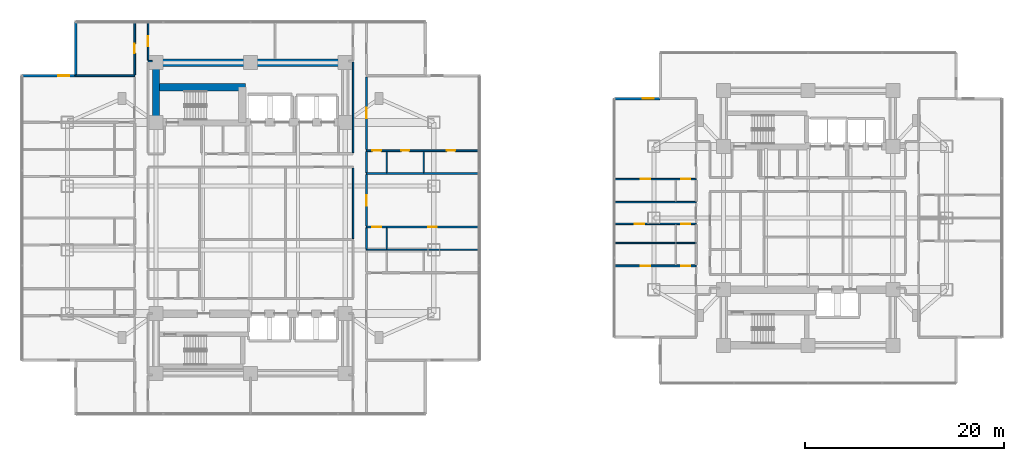
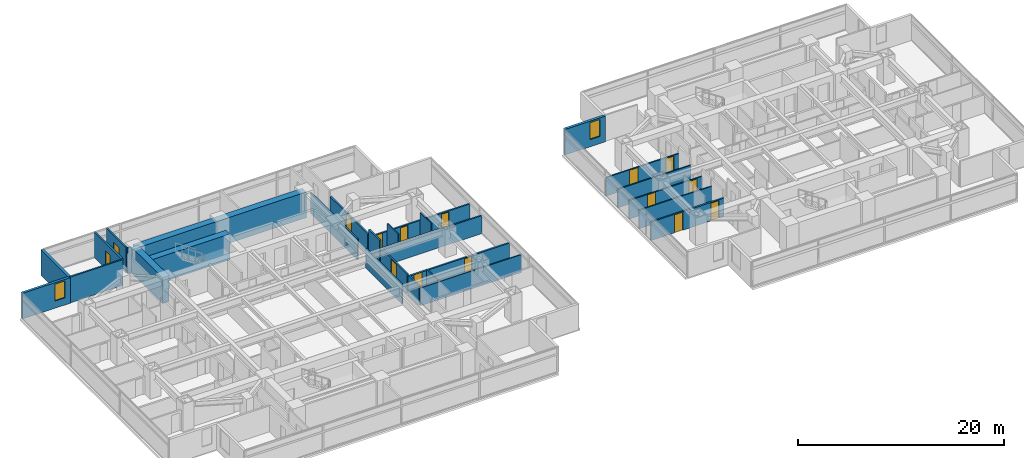
# One storey, part 17 of 26: 28 walls, 15 doors, 2 windows, 17 openings.
"""IFC4 building model written with IfcOpenShell, lengths in metres."""

from ifc_helpers import new_model, si_unit, direction, frame, frame_2d, origin, place, context, subcontext, project, spatial, rectangle, extrude, material, layer, layer_set, type_object, element, fill, save


model = new_model("IFC4")

# Units and contexts
model_context = context("Model", 3, precision=1e-05, world=origin(), true_north=direction((0.0, 1.0)))
body_context = subcontext(model_context, "Body", "Model", "MODEL_VIEW")
ifc_project = project(units=[si_unit("LENGTHUNIT", "METRE"), si_unit("AREAUNIT", "SQUARE_METRE"), si_unit("VOLUMEUNIT", "CUBIC_METRE"), si_unit("PLANEANGLEUNIT", "RADIAN"), si_unit("MASSUNIT", "GRAM", prefix="KILO")], contexts=[model_context])

# Site, building, storey
site_placement = place(None, origin())
site = spatial("IfcSite", under=ifc_project, at=site_placement, CompositionType="ELEMENT")
building_placement = place(site_placement, origin())
building = spatial("IfcBuilding", under=site, at=building_placement, Name="Mirazonda Arch Towers", CompositionType="ELEMENT")
storey_placement = place(building_placement, frame((0.0, 0.0, 45.5)))
storey = spatial("IfcBuildingStorey", under=building, at=storey_placement, Name="L12", CompositionType="ELEMENT", Elevation=45.5)

# Walls
ifc_material_1 = material(Name="Concrete C60/75", Category="concrete")
ifc_layer_1 = layer(ifc_material_1, 0.75, Name="WALL-CORE-750")
ifc_layer_set_1 = layer_set([ifc_layer_1], Name="Concrete C60/75")
wall_type_1 = type_object("IfcWallType", Name="WALL-CORE-750", PredefinedType="SHEAR", material=ifc_layer_set_1)
wall_1_placement = place(storey_placement, frame((11.0, 43.60009765625, 0.0), z_axis=(0.0, 0.0, 1.0), x_axis=(1.0, 0.0, 0.0)))
element("IfcWall", 1, at=wall_1_placement, inside=storey, type_object=wall_type_1, Name="L12 T1N-N Core Shear Wall", PredefinedType="SHEAR", context=body_context, shape_type="SweptSolid", body=[
    extrude(rectangle(XDim=19.0, YDim=0.75, at=frame_2d((9.5, 0.0))), origin(), (0.0, 0.0, 1.0), 3.06005859375),
])
wall_2_placement = place(storey_placement, frame((11.0, 37.60009765625, 0.0), z_axis=(0.0, 0.0, 1.0), x_axis=(0.0, 1.0, 0.0)))
element("IfcWall", 2, at=wall_2_placement, inside=storey, type_object=wall_type_1, Name="L12 T1N-W Core Shear Wall", PredefinedType="SHEAR", context=body_context, shape_type="SweptSolid", body=[
    extrude(rectangle(XDim=6.0, YDim=0.75, at=frame_2d((3.0, 0.0))), origin(), (0.0, 0.0, 1.0), 3.06005859375),
])
wall_3_placement = place(storey_placement, frame((11.0, 41.14306640625, 0.0), z_axis=(0.0, 0.0, 1.0), x_axis=(1.0, 0.0, 0.0)))
element("IfcWall", 3, at=wall_3_placement, inside=storey, type_object=wall_type_1, Name="L12 T1N-STN Core Shear Wall", PredefinedType="SHEAR", context=body_context, shape_type="SweptSolid", body=[
    extrude(rectangle(XDim=9.0, YDim=0.75, at=frame_2d((4.5, 0.0))), origin(), (0.0, 0.0, 1.0), 3.06005859375),
])

# Wall, opening, window
ifc_material_2 = material(Name="Precast Concrete C40/50", Category="concrete")
ifc_layer_2 = layer(ifc_material_2, 0.280029296875, Name="WALL-EXT-WALL-280")
ifc_layer_set_2 = layer_set([ifc_layer_2], Name="Precast Concrete C40/50")
wall_type_2 = type_object("IfcWallType", Name="WALL-EXT-WALL-280", PredefinedType="SOLIDWALL", material=ifc_layer_set_2)
wall_4_placement = place(storey_placement, frame((2.93994140625, 42.285888671875, 0.0), z_axis=(0.0, 0.0, 1.0), x_axis=(-1.0, 0.0, 0.0)))
wall_4 = element("IfcWall", 4, at=wall_4_placement, inside=storey, type_object=wall_type_2, Name="L12 T1 Corner Notch Return Wall WL-L12-T1-CNW1", PredefinedType="SOLIDWALL", context=body_context, shape_type="SweptSolid", body=[
    extrude(rectangle(XDim=5.3798828125, YDim=0.280029296875, at=frame_2d((2.68994140625, 0.0))), origin(), (0.0, 0.0, 1.0), 3.0400390625),
])
opening_1_placement = place(wall_4_placement, frame((0.64990234375, 0.0, 0.85009765625)))
opening_1 = element("IfcOpeningElement", 5, at=opening_1_placement, cuts=wall_4, Name="Opening WN-108", PredefinedType="OPENING", context=body_context, shape_type="SweptSolid", body=[
    extrude(rectangle(XDim=1.10009765625, YDim=2.0, at=frame_2d((0.550048828125, 1.0))), frame((0.0, 0.14990234375, 0.0), z_axis=(0.0, -1.0, 0.0), x_axis=(1.0, 0.0, 0.0)), (0.0, 0.0, 1.0), 0.300048828125),
])
ifc_material_3 = material(Name="Insulated Low-E Solar Glass", Category="glass")
window_type = type_object("IfcWindowType", Name="WIN-NOTCH-1100x2000", PartitioningType="SINGLE_PANEL", PredefinedType="WINDOW", material=ifc_material_3)
window_1_placement = place(opening_1_placement, origin())
window_1 = element("IfcWindow", 6, at=window_1_placement, inside=storey, type_object=window_type, Name="L12 Punched Facade Window WN-L12-T1-CNW1", OverallHeight=2.0, OverallWidth=1.10009765625, PartitioningType="SINGLE_PANEL", PredefinedType="WINDOW", context=body_context, shape_type="SweptSolid", body=[
    extrude(rectangle(XDim=1.10009765625, YDim=2.0, at=frame_2d((0.550048828125, 1.0))), frame((0.0, 0.030029296875, 0.0), z_axis=(0.0, -1.0, 0.0), x_axis=(1.0, 0.0, 0.0)), (0.0, 0.0, 1.0), 0.06005859375),
])
fill(opening_1, window_1)

# Wall
wall_5_placement = place(storey_placement, frame((2.93994140625, 47.666015625, 0.0), z_axis=(0.0, 0.0, 1.0), x_axis=(0.0, -1.0, 0.0)))
element("IfcWall", 7, at=wall_5_placement, inside=storey, type_object=wall_type_2, Name="L12 T1 Corner Notch Return Wall WL-L12-T1-CNW2", PredefinedType="SOLIDWALL", context=body_context, shape_type="SweptSolid", body=[
    extrude(rectangle(XDim=5.380126953125, YDim=0.280029296875, at=frame_2d((2.68994140625, 0.0))), origin(), (0.0, 0.0, 1.0), 3.0400390625),
])

# Wall, opening, window
wall_6_placement = place(storey_placement, frame((61.634033203125, 39.983154296875, 0.0), z_axis=(0.0, 0.0, 1.0), x_axis=(-1.0, 0.0, 0.0)))
wall_6 = element("IfcWall", 8, at=wall_6_placement, inside=storey, type_object=wall_type_2, Name="L12 T2 Corner Notch Return Wall WL-L12-T2-CNW1", PredefinedType="SOLIDWALL", context=body_context, shape_type="SweptSolid", body=[
    extrude(rectangle(XDim=4.580078125, YDim=0.280029296875, at=frame_2d((2.2900390625, 0.0))), origin(), (0.0, 0.0, 1.0), 3.0400390625),
])
opening_2_placement = place(wall_6_placement, frame((0.64990234375, 0.0, 0.85009765625)))
opening_2 = element("IfcOpeningElement", 9, at=opening_2_placement, cuts=wall_6, Name="Opening WN-108", PredefinedType="OPENING", context=body_context, shape_type="SweptSolid", body=[
    extrude(rectangle(XDim=1.10009765625, YDim=2.0, at=frame_2d((0.550048828125, 1.0))), frame((0.0, 0.14990234375, 0.0), z_axis=(0.0, -1.0, 0.0), x_axis=(1.0, 0.0, 0.0)), (0.0, 0.0, 1.0), 0.300048828125),
])
window_2_placement = place(opening_2_placement, origin())
window_2 = element("IfcWindow", 10, at=window_2_placement, inside=storey, type_object=window_type, Name="L12 Punched Facade Window WN-L12-T2-CNW1", OverallHeight=2.0, OverallWidth=1.10009765625, PartitioningType="SINGLE_PANEL", PredefinedType="WINDOW", context=body_context, shape_type="SweptSolid", body=[
    extrude(rectangle(XDim=1.10009765625, YDim=2.0, at=frame_2d((0.550048828125, 1.0))), frame((0.0, 0.030029296875, 0.0), z_axis=(0.0, -1.0, 0.0), x_axis=(1.0, 0.0, 0.0)), (0.0, 0.0, 1.0), 0.06005859375),
])
fill(opening_2, window_2)

# Wall, openings, doors
ifc_material_4 = material(Name="Fire-Rated Gypsum Stud Partition")
ifc_layer_3 = layer(ifc_material_4, 0.14990234375, Name="WALL-PART-CORR-150")
ifc_layer_set_3 = layer_set([ifc_layer_3], Name="Fire-Rated Gypsum Stud Partition")
wall_type_3 = type_object("IfcWallType", Name="WALL-PART-CORR-150", PredefinedType="PARTITIONING", material=ifc_layer_set_3)
wall_7_placement = place(storey_placement, frame((57.053955078125, 27.412109375, 0.0), z_axis=(0.0, 0.0, 1.0), x_axis=(1.0, 0.0, 0.0)))
wall_7 = element("IfcWall", 11, at=wall_7_placement, inside=storey, type_object=wall_type_3, Name="L12 Interior Partition 034", PredefinedType="PARTITIONING", context=body_context, shape_type="SweptSolid", body=[
    extrude(rectangle(XDim=8.196044921875, YDim=0.14990234375, at=frame_2d((4.09814453125, 0.0))), origin(), (0.0, 0.0, 1.0), 2.196044921875),
])
opening_3_placement = place(wall_7_placement, frame((2.02294921875, 0.0, 0.0)))
opening_3 = element("IfcOpeningElement", 12, at=opening_3_placement, cuts=wall_7, Name="Opening DR-104", PredefinedType="OPENING", context=body_context, shape_type="SweptSolid", body=[
    extrude(rectangle(XDim=0.949951171875, YDim=2.14990234375, at=frame_2d((0.47509765625, 1.074951171875))), frame((0.0, 0.0849609375, 0.0), z_axis=(0.0, -1.0, 0.0), x_axis=(1.0, 0.0, 0.0)), (0.0, 0.0, 1.0), 0.169921875),
])
opening_4_placement = place(wall_7_placement, frame((6.7060546875, 0.0, 0.0)))
opening_4 = element("IfcOpeningElement", 13, at=opening_4_placement, cuts=wall_7, Name="Opening DR-120", PredefinedType="OPENING", context=body_context, shape_type="SweptSolid", body=[
    extrude(rectangle(XDim=0.89990234375, YDim=2.10009765625, at=frame_2d((0.449951171875, 1.050048828125))), frame((0.0, 0.0849609375, 0.0), z_axis=(0.0, -1.0, 0.0), x_axis=(1.0, 0.0, 0.0)), (0.0, 0.0, 1.0), 0.169921875),
])
ifc_material_5 = material(Name="Architectural Brushed Steel S355", Category="steel")
door_type_1 = type_object("IfcDoorType", Name="DOOR-ROOM-950", OperationType="NOTDEFINED", PredefinedType="DOOR", material=ifc_material_5)
door_1_placement = place(opening_3_placement, origin())
door_1 = element("IfcDoor", 14, at=door_1_placement, inside=storey, type_object=door_type_1, Name="L12 Guestroom Study 2 Door", OperationType="SINGLE_SWING_RIGHT", OverallHeight=2.14990234375, OverallWidth=0.949951171875, PredefinedType="DOOR", context=body_context, shape_type="SweptSolid", body=[
    extrude(rectangle(XDim=0.949951171875, YDim=2.14990234375, at=frame_2d((0.47509765625, 1.074951171875))), frame((0.0, 0.02490234375, 0.0), z_axis=(0.0, -1.0, 0.0), x_axis=(1.0, 0.0, 0.0)), (0.0, 0.0, 1.0), 0.050048828125),
])
fill(opening_3, door_1)
door_type_2 = type_object("IfcDoorType", Name="DOOR-WC-900", OperationType="NOTDEFINED", PredefinedType="DOOR", material=ifc_material_5)
door_2_placement = place(opening_4_placement, origin())
door_2 = element("IfcDoor", 15, at=door_2_placement, inside=storey, type_object=door_type_2, Name="L12 En-Suite Bathroom 2 Door", OperationType="SINGLE_SWING_LEFT", OverallHeight=2.10009765625, OverallWidth=0.89990234375, PredefinedType="DOOR", context=body_context, shape_type="SweptSolid", body=[
    extrude(rectangle(XDim=0.89990234375, YDim=2.10009765625, at=frame_2d((0.449951171875, 1.050048828125))), frame((0.0, 0.02490234375, 0.0), z_axis=(0.0, -1.0, 0.0), x_axis=(1.0, 0.0, 0.0)), (0.0, 0.0, 1.0), 0.050048828125),
])
fill(opening_4, door_2)

# Wall
wall_8_placement = place(storey_placement, frame((57.053955078125, 29.595947265625, 0.0), z_axis=(0.0, 0.0, 1.0), x_axis=(1.0, 0.0, 0.0)))
element("IfcWall", 16, at=wall_8_placement, inside=storey, type_object=wall_type_3, Name="L12 Interior Partition 037", PredefinedType="PARTITIONING", context=body_context, shape_type="SweptSolid", body=[
    extrude(rectangle(XDim=8.196044921875, YDim=0.14990234375, at=frame_2d((4.09814453125, 0.0))), origin(), (0.0, 0.0, 1.0), 2.196044921875),
])

# Wall, openings, doors
wall_9_placement = place(storey_placement, frame((57.053955078125, 31.89599609375, 0.0), z_axis=(0.0, 0.0, 1.0), x_axis=(1.0, 0.0, 0.0)))
wall_9 = element("IfcWall", 17, at=wall_9_placement, inside=storey, type_object=wall_type_3, Name="L12 Interior Partition 040", PredefinedType="PARTITIONING", context=body_context, shape_type="SweptSolid", body=[
    extrude(rectangle(XDim=8.196044921875, YDim=0.14990234375, at=frame_2d((4.09814453125, 0.0))), origin(), (0.0, 0.0, 1.0), 2.196044921875),
])
opening_5_placement = place(wall_9_placement, frame((2.623046875, 0.0, 0.0)))
opening_5 = element("IfcOpeningElement", 18, at=opening_5_placement, cuts=wall_9, Name="Opening DR-104", PredefinedType="OPENING", context=body_context, shape_type="SweptSolid", body=[
    extrude(rectangle(XDim=0.949951171875, YDim=2.14990234375, at=frame_2d((0.47509765625, 1.074951171875))), frame((0.0, 0.0849609375, 0.0), z_axis=(0.0, -1.0, 0.0), x_axis=(1.0, 0.0, 0.0)), (0.0, 0.0, 1.0), 0.169921875),
])
opening_6_placement = place(wall_9_placement, frame((6.7060546875, 0.0, 0.0)))
opening_6 = element("IfcOpeningElement", 19, at=opening_6_placement, cuts=wall_9, Name="Opening DR-120", PredefinedType="OPENING", context=body_context, shape_type="SweptSolid", body=[
    extrude(rectangle(XDim=0.89990234375, YDim=2.10009765625, at=frame_2d((0.449951171875, 1.050048828125))), frame((0.0, 0.0849609375, 0.0), z_axis=(0.0, -1.0, 0.0), x_axis=(1.0, 0.0, 0.0)), (0.0, 0.0, 1.0), 0.169921875),
])
door_3_placement = place(opening_5_placement, origin())
door_3 = element("IfcDoor", 20, at=door_3_placement, inside=storey, type_object=door_type_1, Name="L12 Guestroom Study 3 Door", OperationType="SINGLE_SWING_LEFT", OverallHeight=2.14990234375, OverallWidth=0.949951171875, PredefinedType="DOOR", context=body_context, shape_type="SweptSolid", body=[
    extrude(rectangle(XDim=0.949951171875, YDim=2.14990234375, at=frame_2d((0.47509765625, 1.074951171875))), frame((0.0, 0.02490234375, 0.0), z_axis=(0.0, -1.0, 0.0), x_axis=(1.0, 0.0, 0.0)), (0.0, 0.0, 1.0), 0.050048828125),
])
fill(opening_5, door_3)
door_4_placement = place(opening_6_placement, origin())
door_4 = element("IfcDoor", 21, at=door_4_placement, inside=storey, type_object=door_type_2, Name="L12 En-Suite Bathroom 3 Door", OperationType="SINGLE_SWING_RIGHT", OverallHeight=2.10009765625, OverallWidth=0.89990234375, PredefinedType="DOOR", context=body_context, shape_type="SweptSolid", body=[
    extrude(rectangle(XDim=0.89990234375, YDim=2.10009765625, at=frame_2d((0.449951171875, 1.050048828125))), frame((0.0, 0.02490234375, 0.0), z_axis=(0.0, -1.0, 0.0), x_axis=(1.0, 0.0, 0.0)), (0.0, 0.0, 1.0), 0.050048828125),
])
fill(opening_6, door_4)

# Wall
wall_10_placement = place(storey_placement, frame((10.199951171875, 43.75, 0.0), z_axis=(0.0, 0.0, 1.0), x_axis=(1.0, 0.0, 0.0)))
element("IfcWall", 22, at=wall_10_placement, inside=storey, type_object=wall_type_3, Name="L12 Interior Partition 063", PredefinedType="PARTITIONING", context=body_context, shape_type="SweptSolid", body=[
    extrude(rectangle(XDim=0.429931640625, YDim=0.14990234375, at=frame_2d((0.21484375, 0.0))), origin(), (0.0, 0.0, 1.0), 3.06005859375),
])

# Wall, opening, door
wall_11_placement = place(storey_placement, frame((10.199951171875, 43.8349609375, 0.0), z_axis=(0.0, 0.0, 1.0), x_axis=(0.0, 1.0, 0.0)))
wall_11 = element("IfcWall", 23, at=wall_11_placement, inside=storey, type_object=wall_type_3, Name="L12 Interior Partition 084", PredefinedType="PARTITIONING", context=body_context, shape_type="SweptSolid", body=[
    extrude(rectangle(XDim=3.8310546875, YDim=0.14990234375, at=frame_2d((1.91552734375, 0.0))), origin(), (0.0, 0.0, 1.0), 3.06005859375),
])
opening_7_placement = place(wall_11_placement, frame((1.390380859375, 0.0, 0.0)))
opening_7 = element("IfcOpeningElement", 24, at=opening_7_placement, cuts=wall_11, Name="Opening DR-121", PredefinedType="OPENING", context=body_context, shape_type="SweptSolid", body=[
    extrude(rectangle(XDim=1.050048828125, YDim=2.199951171875, at=frame_2d((0.52490234375, 1.10009765625))), frame((0.0, 0.0849609375, 0.0), z_axis=(0.0, -1.0, 0.0), x_axis=(1.0, 0.0, 0.0)), (0.0, 0.0, 1.0), 0.169921875),
])
door_type_3 = type_object("IfcDoorType", Name="DOOR-SUITE-FD60-1050", OperationType="NOTDEFINED", PredefinedType="DOOR", material=ifc_material_5)
door_5_placement = place(opening_7_placement, origin())
door_5 = element("IfcDoor", 25, at=door_5_placement, inside=storey, type_object=door_type_3, Name="L12 North Bay Sunroom West Door", OperationType="SINGLE_SWING_LEFT", OverallHeight=2.199951171875, OverallWidth=1.050048828125, PredefinedType="DOOR", context=body_context, shape_type="SweptSolid", body=[
    extrude(rectangle(XDim=1.050048828125, YDim=2.199951171875, at=frame_2d((0.52490234375, 1.10009765625))), frame((0.0, 0.02490234375, 0.0), z_axis=(0.0, -1.0, 0.0), x_axis=(1.0, 0.0, 0.0)), (0.0, 0.0, 1.0), 0.050048828125),
])
fill(opening_7, door_5)

# Walls
wall_12_placement = place(storey_placement, frame((30.800048828125, 25.925048828125, 0.0), z_axis=(0.0, 0.0, 1.0), x_axis=(0.0, 1.0, 0.0)))
element("IfcWall", 26, at=wall_12_placement, inside=storey, type_object=wall_type_3, Name="L12 Interior Partition 111", PredefinedType="PARTITIONING", context=body_context, shape_type="SweptSolid", body=[
    extrude(rectangle(XDim=7.08984375, YDim=0.14990234375, at=frame_2d((3.544921875, 0.0))), origin(), (0.0, 0.0, 1.0), 2.279052734375),
])
wall_13_placement = place(storey_placement, frame((30.800048828125, 34.570068359375, 0.0), z_axis=(0.0, 0.0, 1.0), x_axis=(0.0, 1.0, 0.0)))
element("IfcWall", 27, at=wall_13_placement, inside=storey, type_object=wall_type_3, Name="L12 Interior Partition 112", PredefinedType="PARTITIONING", context=body_context, shape_type="SweptSolid", body=[
    extrude(rectangle(XDim=9.094970703125, YDim=0.14990234375, at=frame_2d((4.54736328125, 0.0))), origin(), (0.0, 0.0, 1.0), 2.43603515625),
])

# Wall, openings, doors
ifc_material_6 = material(Name="Fire-Rated Gypsum Twin-Stud Assembly")
ifc_layer_4 = layer(ifc_material_6, 0.179931640625, Name="WALL-PART-DEMISE-180")
ifc_layer_set_4 = layer_set([ifc_layer_4], Name="Fire-Rated Gypsum Twin-Stud Assembly")
wall_type_4 = type_object("IfcWallType", Name="WALL-PART-DEMISE-180", PredefinedType="PARTITIONING", material=ifc_layer_set_4)
wall_14_placement = place(storey_placement, frame((57.053955078125, 23.19189453125, 0.0), z_axis=(0.0, 0.0, 1.0), x_axis=(1.0, 0.0, 0.0)))
wall_14 = element("IfcWall", 28, at=wall_14_placement, inside=storey, type_object=wall_type_4, Name="L12 Interior Partition 025", PredefinedType="PARTITIONING", context=body_context, shape_type="SweptSolid", body=[
    extrude(rectangle(XDim=8.196044921875, YDim=0.179931640625, at=frame_2d((4.09814453125, 0.0))), origin(), (0.0, 0.0, 1.0), 2.196044921875),
])
opening_8_placement = place(wall_14_placement, frame((2.623046875, 0.0, 0.0)))
opening_8 = element("IfcOpeningElement", 29, at=opening_8_placement, cuts=wall_14, Name="Opening DR-104", PredefinedType="OPENING", context=body_context, shape_type="SweptSolid", body=[
    extrude(rectangle(XDim=0.949951171875, YDim=2.14990234375, at=frame_2d((0.47509765625, 1.074951171875))), frame((0.0, 0.099853515625, 0.0), z_axis=(0.0, -1.0, 0.0), x_axis=(1.0, 0.0, 0.0)), (0.0, 0.0, 1.0), 0.199951171875),
])
opening_9_placement = place(wall_14_placement, frame((6.7060546875, 0.0, 0.0)))
opening_9 = element("IfcOpeningElement", 30, at=opening_9_placement, cuts=wall_14, Name="Opening DR-120", PredefinedType="OPENING", context=body_context, shape_type="SweptSolid", body=[
    extrude(rectangle(XDim=0.89990234375, YDim=2.10009765625, at=frame_2d((0.449951171875, 1.050048828125))), frame((0.0, 0.099853515625, 0.0), z_axis=(0.0, -1.0, 0.0), x_axis=(1.0, 0.0, 0.0)), (0.0, 0.0, 1.0), 0.199951171875),
])
door_6_placement = place(opening_8_placement, origin())
door_6 = element("IfcDoor", 31, at=door_6_placement, inside=storey, type_object=door_type_1, Name="L12 Guestroom Study 1 Door", OperationType="SINGLE_SWING_LEFT", OverallHeight=2.14990234375, OverallWidth=0.949951171875, PredefinedType="DOOR", context=body_context, shape_type="SweptSolid", body=[
    extrude(rectangle(XDim=0.949951171875, YDim=2.14990234375, at=frame_2d((0.47509765625, 1.074951171875))), frame((0.0, 0.02490234375, 0.0), z_axis=(0.0, -1.0, 0.0), x_axis=(1.0, 0.0, 0.0)), (0.0, 0.0, 1.0), 0.050048828125),
])
fill(opening_8, door_6)
door_7_placement = place(opening_9_placement, origin())
door_7 = element("IfcDoor", 32, at=door_7_placement, inside=storey, type_object=door_type_2, Name="L12 En-Suite Bathroom 1 Door", OperationType="SINGLE_SWING_RIGHT", OverallHeight=2.10009765625, OverallWidth=0.89990234375, PredefinedType="DOOR", context=body_context, shape_type="SweptSolid", body=[
    extrude(rectangle(XDim=0.89990234375, YDim=2.10009765625, at=frame_2d((0.449951171875, 1.050048828125))), frame((0.0, 0.02490234375, 0.0), z_axis=(0.0, -1.0, 0.0), x_axis=(1.0, 0.0, 0.0)), (0.0, 0.0, 1.0), 0.050048828125),
])
fill(opening_9, door_7)

wall_15_placement = place(storey_placement, frame((32.139892578125, 27.10009765625, 0.0), z_axis=(0.0, 0.0, 1.0), x_axis=(1.0, 0.0, 0.0)))
wall_15 = element("IfcWall", 33, at=wall_15_placement, inside=storey, type_object=wall_type_4, Name="L12 Interior Partition 033", PredefinedType="PARTITIONING", context=body_context, shape_type="SweptSolid", body=[
    extrude(rectangle(XDim=11.300048828125, YDim=0.179931640625, at=frame_2d((5.64990234375, 0.0))), origin(), (0.0, 0.0, 1.0), 2.125),
])
opening_10_placement = place(wall_15_placement, frame((6.22509765625, 0.0, 0.0)))
opening_10 = element("IfcOpeningElement", 34, at=opening_10_placement, cuts=wall_15, Name="Opening DR-128", PredefinedType="OPENING", context=body_context, shape_type="SweptSolid", body=[
    extrude(rectangle(XDim=0.85009765625, YDim=2.010009765625, at=frame_2d((0.425048828125, 1.0048828125))), frame((0.0, 0.099853515625, 0.0), z_axis=(0.0, -1.0, 0.0), x_axis=(1.0, 0.0, 0.0)), (0.0, 0.0, 1.0), 0.199951171875),
])
opening_11_placement = place(wall_15_placement, frame((0.590087890625, 0.0, 0.0)))
opening_11 = element("IfcOpeningElement", 35, at=opening_11_placement, cuts=wall_15, Name="Opening DR-120", PredefinedType="OPENING", context=body_context, shape_type="SweptSolid", body=[
    extrude(rectangle(XDim=0.89990234375, YDim=2.10009765625, at=frame_2d((0.449951171875, 1.050048828125))), frame((0.0, 0.099853515625, 0.0), z_axis=(0.0, -1.0, 0.0), x_axis=(1.0, 0.0, 0.0)), (0.0, 0.0, 1.0), 0.199951171875),
])
door_type_4 = type_object("IfcDoorType", Name="DOOR-RISER-FD60-850", OperationType="NOTDEFINED", PredefinedType="DOOR", material=ifc_material_5)
door_8_placement = place(opening_10_placement, origin())
door_8 = element("IfcDoor", 36, at=door_8_placement, inside=storey, type_object=door_type_4, Name="L12 Studio 2 Galley Kitchen Door", OperationType="SINGLE_SWING_LEFT", OverallHeight=2.010009765625, OverallWidth=0.85009765625, PredefinedType="DOOR", context=body_context, shape_type="SweptSolid", body=[
    extrude(rectangle(XDim=0.85009765625, YDim=2.010009765625, at=frame_2d((0.425048828125, 1.0048828125))), frame((0.0, 0.02490234375, 0.0), z_axis=(0.0, -1.0, 0.0), x_axis=(1.0, 0.0, 0.0)), (0.0, 0.0, 1.0), 0.050048828125),
])
fill(opening_10, door_8)
door_9_placement = place(opening_11_placement, origin())
door_9 = element("IfcDoor", 37, at=door_9_placement, inside=storey, type_object=door_type_2, Name="L12 Studio 2 Bathroom Door", OperationType="SINGLE_SWING_RIGHT", OverallHeight=2.10009765625, OverallWidth=0.89990234375, PredefinedType="DOOR", context=body_context, shape_type="SweptSolid", body=[
    extrude(rectangle(XDim=0.89990234375, YDim=2.10009765625, at=frame_2d((0.449951171875, 1.050048828125))), frame((0.0, 0.02490234375, 0.0), z_axis=(0.0, -1.0, 0.0), x_axis=(1.0, 0.0, 0.0)), (0.0, 0.0, 1.0), 0.050048828125),
])
fill(opening_11, door_9)

# Wall
wall_16_placement = place(storey_placement, frame((32.139892578125, 32.4599609375, 0.0), z_axis=(0.0, 0.0, 1.0), x_axis=(1.0, 0.0, 0.0)))
element("IfcWall", 38, at=wall_16_placement, inside=storey, type_object=wall_type_4, Name="L12 Interior Partition 044", PredefinedType="PARTITIONING", context=body_context, shape_type="SweptSolid", body=[
    extrude(rectangle(XDim=11.300048828125, YDim=0.179931640625, at=frame_2d((5.64990234375, 0.0))), origin(), (0.0, 0.0, 1.0), 2.125),
])

# Wall, openings, doors
wall_17_placement = place(storey_placement, frame((32.139892578125, 34.760009765625, 0.0), z_axis=(0.0, 0.0, 1.0), x_axis=(1.0, 0.0, 0.0)))
wall_17 = element("IfcWall", 39, at=wall_17_placement, inside=storey, type_object=wall_type_4, Name="L12 Interior Partition 048", PredefinedType="PARTITIONING", context=body_context, shape_type="SweptSolid", body=[
    extrude(rectangle(XDim=11.300048828125, YDim=0.179931640625, at=frame_2d((5.64990234375, 0.0))), origin(), (0.0, 0.0, 1.0), 2.125),
])
opening_12_placement = place(wall_17_placement, frame((8.076904296875, 0.0, 0.0)))
opening_12 = element("IfcOpeningElement", 40, at=opening_12_placement, cuts=wall_17, Name="Opening DR-128", PredefinedType="OPENING", context=body_context, shape_type="SweptSolid", body=[
    extrude(rectangle(XDim=0.85009765625, YDim=2.010009765625, at=frame_2d((0.425048828125, 1.0048828125))), frame((0.0, 0.099853515625, 0.0), z_axis=(0.0, -1.0, 0.0), x_axis=(1.0, 0.0, 0.0)), (0.0, 0.0, 1.0), 0.199951171875),
])
opening_13_placement = place(wall_17_placement, frame((3.467041015625, 0.0, 0.0)))
opening_13 = element("IfcOpeningElement", 41, at=opening_13_placement, cuts=wall_17, Name="Opening DR-128", PredefinedType="OPENING", context=body_context, shape_type="SweptSolid", body=[
    extrude(rectangle(XDim=0.85009765625, YDim=2.010009765625, at=frame_2d((0.425048828125, 1.0048828125))), frame((0.0, 0.099853515625, 0.0), z_axis=(0.0, -1.0, 0.0), x_axis=(1.0, 0.0, 0.0)), (0.0, 0.0, 1.0), 0.199951171875),
])
opening_14_placement = place(wall_17_placement, frame((0.590087890625, 0.0, 0.0)))
opening_14 = element("IfcOpeningElement", 42, at=opening_14_placement, cuts=wall_17, Name="Opening DR-120", PredefinedType="OPENING", context=body_context, shape_type="SweptSolid", body=[
    extrude(rectangle(XDim=0.89990234375, YDim=2.10009765625, at=frame_2d((0.449951171875, 1.050048828125))), frame((0.0, 0.099853515625, 0.0), z_axis=(0.0, -1.0, 0.0), x_axis=(1.0, 0.0, 0.0)), (0.0, 0.0, 1.0), 0.199951171875),
])
door_10_placement = place(opening_12_placement, origin())
door_10 = element("IfcDoor", 43, at=door_10_placement, inside=storey, type_object=door_type_4, Name="L12 Residence 3 Principal Bedroom Door", OperationType="SINGLE_SWING_RIGHT", OverallHeight=2.010009765625, OverallWidth=0.85009765625, PredefinedType="DOOR", context=body_context, shape_type="SweptSolid", body=[
    extrude(rectangle(XDim=0.85009765625, YDim=2.010009765625, at=frame_2d((0.425048828125, 1.0048828125))), frame((0.0, 0.02490234375, 0.0), z_axis=(0.0, -1.0, 0.0), x_axis=(1.0, 0.0, 0.0)), (0.0, 0.0, 1.0), 0.050048828125),
])
fill(opening_12, door_10)
door_11_placement = place(opening_13_placement, origin())
door_11 = element("IfcDoor", 44, at=door_11_placement, inside=storey, type_object=door_type_4, Name="L12 Residence 3 Fitted Kitchen Door", OperationType="SINGLE_SWING_LEFT", OverallHeight=2.010009765625, OverallWidth=0.85009765625, PredefinedType="DOOR", context=body_context, shape_type="SweptSolid", body=[
    extrude(rectangle(XDim=0.85009765625, YDim=2.010009765625, at=frame_2d((0.425048828125, 1.0048828125))), frame((0.0, 0.02490234375, 0.0), z_axis=(0.0, -1.0, 0.0), x_axis=(1.0, 0.0, 0.0)), (0.0, 0.0, 1.0), 0.050048828125),
])
fill(opening_13, door_11)
door_12_placement = place(opening_14_placement, origin())
door_12 = element("IfcDoor", 45, at=door_12_placement, inside=storey, type_object=door_type_2, Name="L12 Residence 3 Bathroom Door", OperationType="SINGLE_SWING_RIGHT", OverallHeight=2.10009765625, OverallWidth=0.89990234375, PredefinedType="DOOR", context=body_context, shape_type="SweptSolid", body=[
    extrude(rectangle(XDim=0.89990234375, YDim=2.10009765625, at=frame_2d((0.449951171875, 1.050048828125))), frame((0.0, 0.02490234375, 0.0), z_axis=(0.0, -1.0, 0.0), x_axis=(1.0, 0.0, 0.0)), (0.0, 0.0, 1.0), 0.050048828125),
])
fill(opening_14, door_12)

# Wall
wall_18_placement = place(storey_placement, frame((2.9599609375, 42.285888671875, 0.0), z_axis=(0.0, 0.0, 1.0), x_axis=(1.0, 0.0, 0.0)))
element("IfcWall", 46, at=wall_18_placement, inside=storey, type_object=wall_type_4, Name="L12 Interior Partition 061", PredefinedType="PARTITIONING", context=body_context, shape_type="SweptSolid", body=[
    extrude(rectangle(XDim=5.900146484375, YDim=0.179931640625, at=frame_2d((2.9501953125, 0.0))), origin(), (0.0, 0.0, 1.0), 3.06005859375),
])

# Wall, opening, door
wall_19_placement = place(storey_placement, frame((8.860107421875, 42.385986328125, 0.0), z_axis=(0.0, 0.0, 1.0), x_axis=(0.0, 1.0, 0.0)))
wall_19 = element("IfcWall", 47, at=wall_19_placement, inside=storey, type_object=wall_type_4, Name="L12 Interior Partition 078", PredefinedType="PARTITIONING", context=body_context, shape_type="SweptSolid", body=[
    extrude(rectangle(XDim=5.280029296875, YDim=0.179931640625, at=frame_2d((2.64013671875, 0.0))), origin(), (0.0, 0.0, 1.0), 3.06005859375),
])
opening_15_placement = place(wall_19_placement, frame((2.1650390625, 0.0, 0.0)))
opening_15 = element("IfcOpeningElement", 48, at=opening_15_placement, cuts=wall_19, Name="Opening DR-104", PredefinedType="OPENING", context=body_context, shape_type="SweptSolid", body=[
    extrude(rectangle(XDim=0.949951171875, YDim=2.14990234375, at=frame_2d((0.47509765625, 1.074951171875))), frame((0.0, 0.099853515625, 0.0), z_axis=(0.0, -1.0, 0.0), x_axis=(1.0, 0.0, 0.0)), (0.0, 0.0, 1.0), 0.199951171875),
])
door_13_placement = place(opening_15_placement, origin())
door_13 = element("IfcDoor", 49, at=door_13_placement, inside=storey, type_object=door_type_1, Name="L12 North Bay Sunroom Alcove West Door", OperationType="SINGLE_SWING_LEFT", OverallHeight=2.14990234375, OverallWidth=0.949951171875, PredefinedType="DOOR", context=body_context, shape_type="SweptSolid", body=[
    extrude(rectangle(XDim=0.949951171875, YDim=2.14990234375, at=frame_2d((0.47509765625, 1.074951171875))), frame((0.0, 0.02490234375, 0.0), z_axis=(0.0, -1.0, 0.0), x_axis=(1.0, 0.0, 0.0)), (0.0, 0.0, 1.0), 0.050048828125),
])
fill(opening_15, door_13)

# Wall
wall_20_placement = place(storey_placement, frame((32.139892578125, 24.87255859375, 0.0), z_axis=(0.0, 0.0, 1.0), x_axis=(0.0, 1.0, 0.0)))
element("IfcWall", 50, at=wall_20_placement, inside=storey, type_object=wall_type_4, Name="L12 Interior Partition 117", PredefinedType="PARTITIONING", context=body_context, shape_type="SweptSolid", body=[
    extrude(rectangle(XDim=2.12744140625, YDim=0.179931640625, at=frame_2d((1.063720703125, 0.0))), origin(), (0.0, 0.0, 1.0), 2.279052734375),
])

# Wall, opening, door
wall_21_placement = place(storey_placement, frame((32.139892578125, 27.199951171875, 0.0), z_axis=(0.0, 0.0, 1.0), x_axis=(0.0, 1.0, 0.0)))
wall_21 = element("IfcWall", 51, at=wall_21_placement, inside=storey, type_object=wall_type_4, Name="L12 Interior Partition 118", PredefinedType="PARTITIONING", context=body_context, shape_type="SweptSolid", body=[
    extrude(rectangle(XDim=5.16015625, YDim=0.179931640625, at=frame_2d((2.580078125, 0.0))), origin(), (0.0, 0.0, 1.0), 2.279052734375),
])
opening_16_placement = place(wall_21_placement, frame((2.054931640625, 0.0, 0.0)))
opening_16 = element("IfcOpeningElement", 52, at=opening_16_placement, cuts=wall_21, Name="Opening DR-121", PredefinedType="OPENING", context=body_context, shape_type="SweptSolid", body=[
    extrude(rectangle(XDim=1.050048828125, YDim=2.199951171875, at=frame_2d((0.52490234375, 1.10009765625))), frame((0.0, 0.099853515625, 0.0), z_axis=(0.0, -1.0, 0.0), x_axis=(1.0, 0.0, 0.0)), (0.0, 0.0, 1.0), 0.199951171875),
])
door_14_placement = place(opening_16_placement, origin())
door_14 = element("IfcDoor", 53, at=door_14_placement, inside=storey, type_object=door_type_3, Name="L12 Studio Apartment 2 Living Salon Door", OperationType="SINGLE_SWING_RIGHT", OverallHeight=2.199951171875, OverallWidth=1.050048828125, PredefinedType="DOOR", context=body_context, shape_type="SweptSolid", body=[
    extrude(rectangle(XDim=1.050048828125, YDim=2.199951171875, at=frame_2d((0.52490234375, 1.10009765625))), frame((0.0, 0.02490234375, 0.0), z_axis=(0.0, -1.0, 0.0), x_axis=(1.0, 0.0, 0.0)), (0.0, 0.0, 1.0), 0.050048828125),
])
fill(opening_16, door_14)

# Wall
wall_22_placement = place(storey_placement, frame((32.139892578125, 32.56005859375, 0.0), z_axis=(0.0, 0.0, 1.0), x_axis=(0.0, 1.0, 0.0)))
element("IfcWall", 54, at=wall_22_placement, inside=storey, type_object=wall_type_4, Name="L12 Interior Partition 119", PredefinedType="PARTITIONING", context=body_context, shape_type="SweptSolid", body=[
    extrude(rectangle(XDim=2.099853515625, YDim=0.179931640625, at=frame_2d((1.0498046875, 0.0))), origin(), (0.0, 0.0, 1.0), 3.06005859375),
])

# Wall, opening, door
wall_23_placement = place(storey_placement, frame((32.139892578125, 34.860107421875, 0.0), z_axis=(0.0, 0.0, 1.0), x_axis=(0.0, 1.0, 0.0)))
wall_23 = element("IfcWall", 55, at=wall_23_placement, inside=storey, type_object=wall_type_4, Name="L12 Interior Partition 120", PredefinedType="PARTITIONING", context=body_context, shape_type="SweptSolid", body=[
    extrude(rectangle(XDim=7.325927734375, YDim=0.179931640625, at=frame_2d((3.6630859375, 0.0))), origin(), (0.0, 0.0, 1.0), 2.43603515625),
])
opening_17_placement = place(wall_23_placement, frame((3.137939453125, 0.0, 0.0)))
opening_17 = element("IfcOpeningElement", 56, at=opening_17_placement, cuts=wall_23, Name="Opening DR-121", PredefinedType="OPENING", context=body_context, shape_type="SweptSolid", body=[
    extrude(rectangle(XDim=1.050048828125, YDim=2.199951171875, at=frame_2d((0.52490234375, 1.10009765625))), frame((0.0, 0.099853515625, 0.0), z_axis=(0.0, -1.0, 0.0), x_axis=(1.0, 0.0, 0.0)), (0.0, 0.0, 1.0), 0.199951171875),
])
door_15_placement = place(opening_17_placement, origin())
door_15 = element("IfcDoor", 57, at=door_15_placement, inside=storey, type_object=door_type_3, Name="L12 Penthouse Residence 3 Living & Dining Salon Door", OperationType="SINGLE_SWING_LEFT", OverallHeight=2.199951171875, OverallWidth=1.050048828125, PredefinedType="DOOR", context=body_context, shape_type="SweptSolid", body=[
    extrude(rectangle(XDim=1.050048828125, YDim=2.199951171875, at=frame_2d((0.52490234375, 1.10009765625))), frame((0.0, 0.02490234375, 0.0), z_axis=(0.0, -1.0, 0.0), x_axis=(1.0, 0.0, 0.0)), (0.0, 0.0, 1.0), 0.050048828125),
])
fill(opening_17, door_15)

# Walls
ifc_material_7 = material(Name="Acoustic Fire-Rated Gypsum Partition")
ifc_layer_5 = layer(ifc_material_7, 0.125, Name="WALL-PART-UNIT-125")
ifc_layer_set_5 = layer_set([ifc_layer_5], Name="Acoustic Fire-Rated Gypsum Partition")
wall_type_5 = type_object("IfcWallType", Name="WALL-PART-UNIT-125", PredefinedType="PARTITIONING", material=ifc_layer_set_5)
wall_24_placement = place(storey_placement, frame((32.139892578125, 24.800048828125, 0.0), z_axis=(0.0, 0.0, 1.0), x_axis=(1.0, 0.0, 0.0)))
element("IfcWall", 58, at=wall_24_placement, inside=storey, type_object=wall_type_5, Name="L12 Interior Partition 026", PredefinedType="PARTITIONING", context=body_context, shape_type="SweptSolid", body=[
    extrude(rectangle(XDim=11.300048828125, YDim=0.125, at=frame_2d((5.64990234375, 0.0))), origin(), (0.0, 0.0, 1.0), 2.125),
])
wall_25_placement = place(storey_placement, frame((57.053955078125, 25.491943359375, 0.0), z_axis=(0.0, 0.0, 1.0), x_axis=(1.0, 0.0, 0.0)))
element("IfcWall", 59, at=wall_25_placement, inside=storey, type_object=wall_type_5, Name="L12 Interior Partition 029", PredefinedType="PARTITIONING", context=body_context, shape_type="SweptSolid", body=[
    extrude(rectangle(XDim=8.196044921875, YDim=0.125, at=frame_2d((4.09814453125, 0.0))), origin(), (0.0, 0.0, 1.0), 2.196044921875),
])
wall_26_placement = place(storey_placement, frame((34.179931640625, 24.87255859375, 0.0), z_axis=(0.0, 0.0, 1.0), x_axis=(0.0, 1.0, 0.0)))
element("IfcWall", 60, at=wall_26_placement, inside=storey, type_object=wall_type_5, Name="L12 Interior Partition 123", PredefinedType="PARTITIONING", context=body_context, shape_type="SweptSolid", body=[
    extrude(rectangle(XDim=2.12744140625, YDim=0.125, at=frame_2d((1.063720703125, 0.0))), origin(), (0.0, 0.0, 1.0), 2.279052734375),
])
for number, where, z_axis, x_axis, name in (
    (61, (34.179931640625, 32.56005859375, 0.0), (0.0, 0.0, 1.0), (0.0, 1.0, 0.0), "L12 Interior Partition 124"),
    (62, (37.884033203125, 32.56005859375, 0.0), (0.0, 0.0, 1.0), (0.0, 1.0, 0.0), "L12 Interior Partition 126"),
):
    element("IfcWall", number, at=place(storey_placement, frame(where, z_axis=z_axis, x_axis=x_axis)), inside=storey, type_object=wall_type_5, Name=name, PredefinedType="PARTITIONING", context=body_context, shape_type="SweptSolid", body=[
        extrude(rectangle(XDim=2.099853515625, YDim=0.125, at=frame_2d((1.0498046875, 0.0))), origin(), (0.0, 0.0, 1.0), 3.06005859375),
    ])

save(model, "model.ifc")
